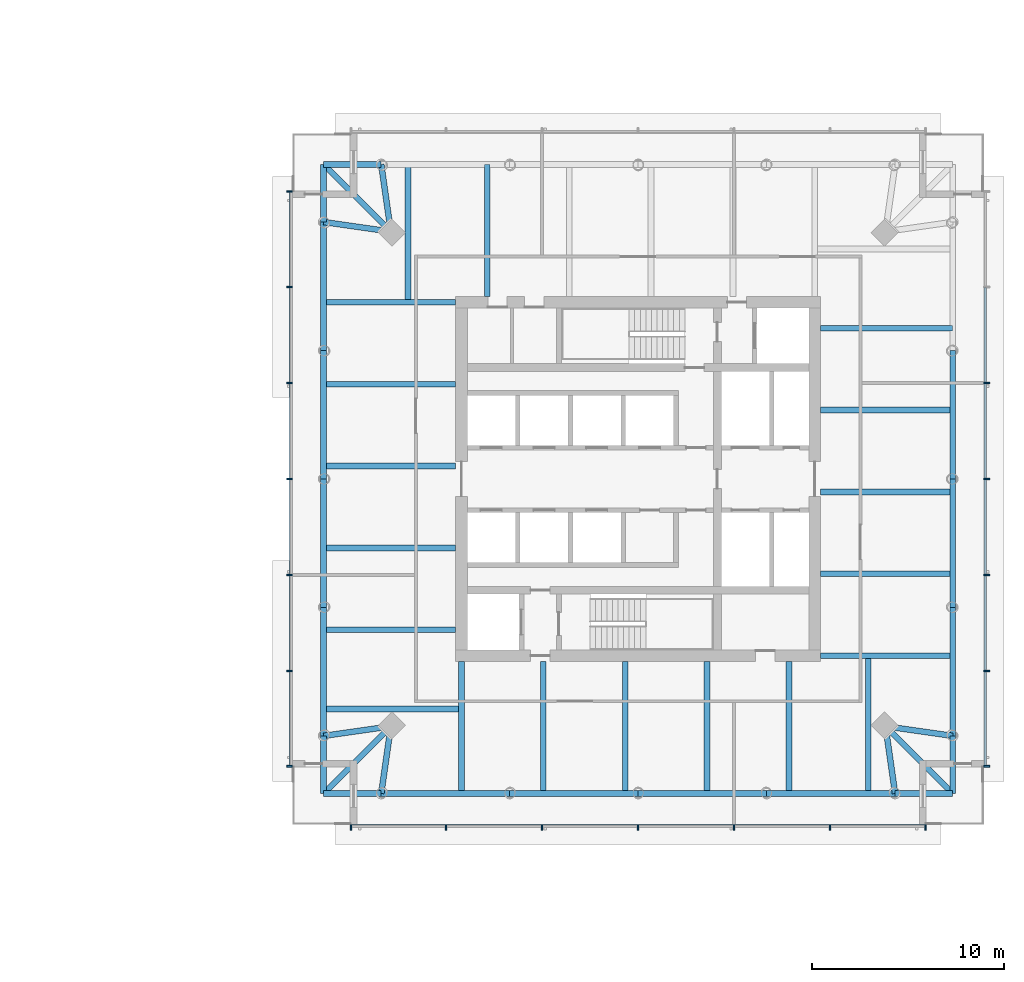
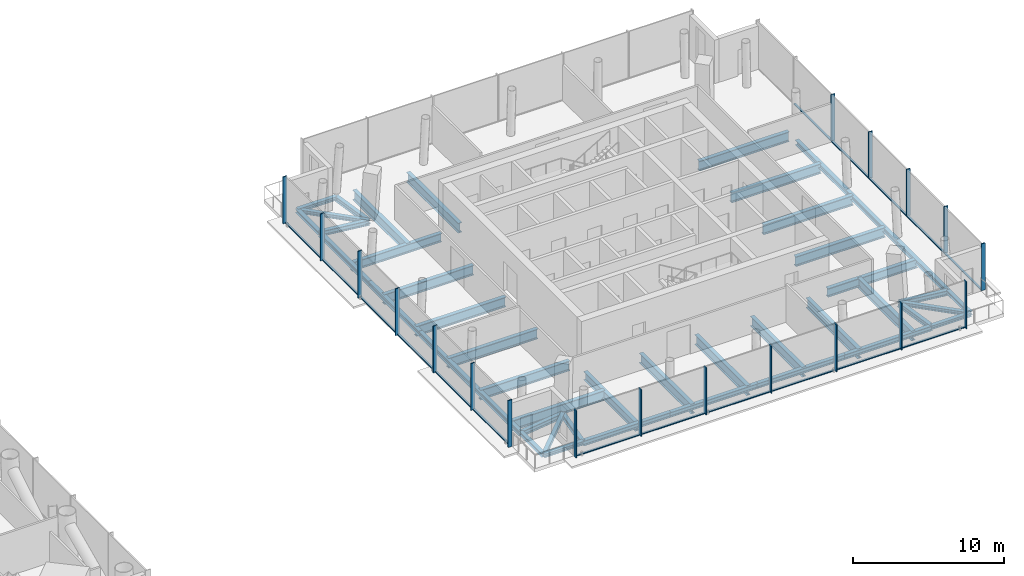
# One storey, part 6 of 28: 45 beams, 36 members, 3 elements without a shape of their own.
"""IFC4 building model written with IfcOpenShell, lengths in metres."""

from ifc_helpers import new_model, si_unit, direction, frame, origin, origin_2d, place, context, subcontext, project, spatial, rectangle, i_section, extrude, material, material_profile, profile_set, type_object, element, aggregate, save


model = new_model("IFC4")

# Units and contexts
model_context = context("Model", 3, precision=1e-05, world=origin(), true_north=direction((0.0, 1.0)))
body_context = subcontext(model_context, "Body", "Model", "MODEL_VIEW")
ifc_project = project(units=[si_unit("LENGTHUNIT", "METRE"), si_unit("AREAUNIT", "SQUARE_METRE"), si_unit("VOLUMEUNIT", "CUBIC_METRE"), si_unit("PLANEANGLEUNIT", "RADIAN"), si_unit("MASSUNIT", "GRAM", prefix="KILO")], contexts=[model_context])

# Site, building, storey
site_placement = place(None, origin())
site = spatial("IfcSite", under=ifc_project, at=site_placement, CompositionType="ELEMENT")
building_placement = place(site_placement, origin())
building = spatial("IfcBuilding", under=site, at=building_placement, Name="Ostroluk Exchange", CompositionType="ELEMENT")
storey_placement = place(building_placement, frame((0.0, 0.0, 81.800048828125)))
storey = spatial("IfcBuildingStorey", under=building, at=storey_placement, Name="L20", CompositionType="ELEMENT", Elevation=81.800048828125)

# Beams
ifc_material_1 = material(Name="Steel S355", Category="steel")
ifc_material_profile_1 = material_profile(ifc_material_1, i_section(OverallWidth=0.300048828125, OverallDepth=0.300048828125, WebThickness=0.010986328125, FlangeThickness=0.01904296875, FilletRadius=0.027099609375, at=origin_2d()), Name="HEB 300")
ifc_profile_set_1 = profile_set([ifc_material_profile_1], Name="Steel S355")
beam_type_1 = type_object("IfcBeamType", Name="Balcony beam HEB 300", PredefinedType="BEAM", material=ifc_profile_set_1)
for number, where, z_axis, x_axis, name in (
    (1, (103.62060546875, 62.37939453125, -0.429931640625), (-1.0, 0.0, 0.0), (0.0, -1.0, 0.0), "T2 north balcony beam a"),
    (2, (100.62060546875, 59.37939453125, -0.429931640625), (0.0, 1.0, 0.0), (-1.0, 0.0, 0.0), "T2 north balcony beam b"),
):
    element("IfcBeam", number, at=place(storey_placement, frame(where, z_axis=z_axis, x_axis=x_axis)), inside=storey, type_object=beam_type_1, Name=name, PredefinedType="BEAM", context=body_context, shape_type="SweptSolid", body=[
        extrude(i_section(OverallWidth=0.300048828125, OverallDepth=0.300048828125, WebThickness=0.010986328125, FlangeThickness=0.01904296875, FilletRadius=0.027099609375, at=origin_2d()), origin(), (0.0, 0.0, 1.0), 3.0),
    ])
beam_1_placement = place(storey_placement, frame((104.12060546875, 58.87939453125, -0.429931640625), z_axis=(-0.707106781187, 0.707106781187, 0.0), x_axis=(-0.707106781187, -0.707106781187, 0.0)))
element("IfcBeam", 3, at=beam_1_placement, inside=storey, type_object=beam_type_1, Name="T2 north balcony beam c", PredefinedType="BEAM", context=body_context, shape_type="SweptSolid", body=[
    extrude(i_section(OverallWidth=0.300048828125, OverallDepth=0.300048828125, WebThickness=0.010986328125, FlangeThickness=0.01904296875, FilletRadius=0.027099609375, at=origin_2d()), origin(), (0.0, 0.0, 1.0), 4.94970703125),
])
for number, where, z_axis, x_axis, name in (
    (4, (100.62060546875, 32.62060546875, -0.429931640625), (0.0, -1.0, 0.0), (1.0, 0.0, 0.0), "T2 west balcony beam a"),
    (5, (103.62060546875, 29.62060546875, -0.429931640625), (-1.0, 0.0, 0.0), (0.0, -1.0, 0.0), "T2 west balcony beam b"),
):
    element("IfcBeam", number, at=place(storey_placement, frame(where, z_axis=z_axis, x_axis=x_axis)), inside=storey, type_object=beam_type_1, Name=name, PredefinedType="BEAM", context=body_context, shape_type="SweptSolid", body=[
        extrude(i_section(OverallWidth=0.300048828125, OverallDepth=0.300048828125, WebThickness=0.010986328125, FlangeThickness=0.01904296875, FilletRadius=0.027099609375, at=origin_2d()), origin(), (0.0, 0.0, 1.0), 3.0),
    ])
beam_2_placement = place(storey_placement, frame((104.12060546875, 33.12060546875, -0.429931640625), z_axis=(-0.707106781187, -0.707106781187, 0.0), x_axis=(0.707106781187, -0.707106781187, 0.0)))
element("IfcBeam", 6, at=beam_2_placement, inside=storey, type_object=beam_type_1, Name="T2 west balcony beam c", PredefinedType="BEAM", context=body_context, shape_type="SweptSolid", body=[
    extrude(i_section(OverallWidth=0.300048828125, OverallDepth=0.300048828125, WebThickness=0.010986328125, FlangeThickness=0.01904296875, FilletRadius=0.027099609375, at=origin_2d()), origin(), (0.0, 0.0, 1.0), 4.94970703125),
])
for number, where, z_axis, x_axis, name in (
    (7, (130.37939453125, 29.62060546875, -0.429931640625), (1.0, 0.0, 0.0), (0.0, 1.0, 0.0), "T2 south balcony beam a"),
    (8, (133.37939453125, 32.62060546875, -0.429931640625), (0.0, -1.0, 0.0), (1.0, 0.0, 0.0), "T2 south balcony beam b"),
):
    element("IfcBeam", number, at=place(storey_placement, frame(where, z_axis=z_axis, x_axis=x_axis)), inside=storey, type_object=beam_type_1, Name=name, PredefinedType="BEAM", context=body_context, shape_type="SweptSolid", body=[
        extrude(i_section(OverallWidth=0.300048828125, OverallDepth=0.300048828125, WebThickness=0.010986328125, FlangeThickness=0.01904296875, FilletRadius=0.027099609375, at=origin_2d()), origin(), (0.0, 0.0, 1.0), 3.0),
    ])
beam_3_placement = place(storey_placement, frame((129.87939453125, 33.12060546875, -0.429931640625), z_axis=(0.707106781187, -0.707106781187, 0.0), x_axis=(0.707106781187, 0.707106781187, 0.0)))
element("IfcBeam", 9, at=beam_3_placement, inside=storey, type_object=beam_type_1, Name="T2 south balcony beam c", PredefinedType="BEAM", context=body_context, shape_type="SweptSolid", body=[
    extrude(i_section(OverallWidth=0.300048828125, OverallDepth=0.300048828125, WebThickness=0.010986328125, FlangeThickness=0.01904296875, FilletRadius=0.027099609375, at=origin_2d()), origin(), (0.0, 0.0, 1.0), 4.94970703125),
])
ifc_material_2 = material(Name="Steel S355", Category="steel")
ifc_material_profile_2 = material_profile(ifc_material_2, i_section(OverallWidth=0.300048828125, OverallDepth=0.39990234375, WebThickness=0.013427734375, FlangeThickness=0.02392578125, FilletRadius=0.027099609375, at=origin_2d()), Name="HEB 400")
ifc_profile_set_2 = profile_set([ifc_material_profile_2], Name="Steel S355")
beam_type_2 = type_object("IfcBeamType", Name="Corner edge beam HEB 400", PredefinedType="SPANDREL", material=ifc_profile_set_2)
for number, where, z_axis, x_axis, name in (
    (10, (104.12060546875, 58.87939453125, -0.47998046875), (-0.141421356237, 0.989949493661, 0.0), (-0.989949493661, -0.141421356237, 0.0), "T2 north corner edge beam a"),
    (11, (104.12060546875, 58.87939453125, -0.47998046875), (-0.989949493661, 0.141421356237, 0.0), (-0.141421356237, -0.989949493661, 0.0), "T2 north corner edge beam b"),
    (12, (104.12060546875, 33.12060546875, -0.47998046875), (-0.989949493661, -0.141421356237, 0.0), (0.141421356237, -0.989949493661, 0.0), "T2 west corner edge beam a"),
    (13, (104.12060546875, 33.12060546875, -0.47998046875), (-0.141421356237, -0.989949493661, 0.0), (0.989949493661, -0.141421356237, 0.0), "T2 west corner edge beam b"),
    (14, (129.87939453125, 33.12060546875, -0.47998046875), (0.141421356237, -0.989949493661, 0.0), (0.989949493661, 0.141421356237, 0.0), "T2 south corner edge beam a"),
    (15, (129.87939453125, 33.12060546875, -0.47998046875), (0.989949493661, -0.141421356237, 0.0), (0.141421356237, 0.989949493661, 0.0), "T2 south corner edge beam b"),
):
    element("IfcBeam", number, at=place(storey_placement, frame(where, z_axis=z_axis, x_axis=x_axis)), inside=storey, type_object=beam_type_2, Name=name, PredefinedType="SPANDREL", context=body_context, shape_type="SweptSolid", body=[
        extrude(i_section(OverallWidth=0.300048828125, OverallDepth=0.39990234375, WebThickness=0.013427734375, FlangeThickness=0.02392578125, FilletRadius=0.027099609375, at=origin_2d()), origin(), (0.0, 0.0, 1.0), 3.53564453125),
    ])
ifc_material_3 = material(Name="Steel S355", Category="steel")
ifc_material_profile_3 = material_profile(ifc_material_3, i_section(OverallWidth=0.300048828125, OverallDepth=0.800048828125, WebThickness=0.017578125, FlangeThickness=0.032958984375, FilletRadius=0.030029296875, at=origin_2d()), Name="HEB 800")
ifc_profile_set_3 = profile_set([ifc_material_profile_3], Name="Steel S355")
beam_type_3 = type_object("IfcBeamType", Name="Floor beam HEB 800", PredefinedType="BEAM", material=ifc_profile_set_3)
for number, where, z_axis, x_axis, name in (
    (16, (126.5, 41.063232421875, -0.679931640625), (1.0, 0.0, 0.0), (0.0, 1.0, 0.0), "T2 east floor beam 1"),
    (17, (126.5, 45.326416015625, -0.679931640625), (1.0, 0.0, 0.0), (0.0, 1.0, 0.0), "T2 east floor beam 2"),
    (18, (126.5, 49.589599609375, -0.679931640625), (1.0, 0.0, 0.0), (0.0, 1.0, 0.0), "T2 east floor beam 3"),
    (19, (126.5, 53.852783203125, -0.679931640625), (1.0, 0.0, 0.0), (0.0, 1.0, 0.0), "T2 east floor beam 4"),
    (20, (109.147216796875, 55.5, -0.679931640625), (0.0, 1.0, 0.0), (-1.0, 0.0, 0.0), "T2 north floor beam 4"),
):
    element("IfcBeam", number, at=place(storey_placement, frame(where, z_axis=z_axis, x_axis=x_axis)), inside=storey, type_object=beam_type_3, Name=name, PredefinedType="BEAM", context=body_context, shape_type="SweptSolid", body=[
        extrude(i_section(OverallWidth=0.300048828125, OverallDepth=0.800048828125, WebThickness=0.017578125, FlangeThickness=0.032958984375, FilletRadius=0.030029296875, at=origin_2d()), origin(), (0.0, 0.0, 1.0), 6.87939453125),
    ])
beam_4_placement = place(storey_placement, frame((105.020751953125, 55.199951171875, -0.679931640625), z_axis=(0.0, 1.0, 0.0), x_axis=(-1.0, 0.0, 0.0)))
element("IfcBeam", 21, at=beam_4_placement, inside=storey, type_object=beam_type_3, Name="T2 north floor beam 5", PredefinedType="BEAM", context=body_context, shape_type="SweptSolid", body=[
    extrude(i_section(OverallWidth=0.300048828125, OverallDepth=0.800048828125, WebThickness=0.017578125, FlangeThickness=0.032958984375, FilletRadius=0.030029296875, at=origin_2d()), origin(), (0.0, 0.0, 1.0), 7.179443359375),
])
for number, where, z_axis, x_axis, name in (
    (22, (107.5, 50.936767578125, -0.679931640625), (-1.0, 0.0, 0.0), (0.0, -1.0, 0.0), "T2 west floor beam 1"),
    (23, (107.5, 46.673583984375, -0.679931640625), (-1.0, 0.0, 0.0), (0.0, -1.0, 0.0), "T2 west floor beam 2"),
    (24, (107.5, 42.410400390625, -0.679931640625), (-1.0, 0.0, 0.0), (0.0, -1.0, 0.0), "T2 west floor beam 3"),
    (25, (107.5, 38.147216796875, -0.679931640625), (-1.0, 0.0, 0.0), (0.0, -1.0, 0.0), "T2 west floor beam 4"),
):
    element("IfcBeam", number, at=place(storey_placement, frame(where, z_axis=z_axis, x_axis=x_axis)), inside=storey, type_object=beam_type_3, Name=name, PredefinedType="BEAM", context=body_context, shape_type="SweptSolid", body=[
        extrude(i_section(OverallWidth=0.300048828125, OverallDepth=0.800048828125, WebThickness=0.017578125, FlangeThickness=0.032958984375, FilletRadius=0.030029296875, at=origin_2d()), origin(), (0.0, 0.0, 1.0), 6.87939453125),
    ])
beam_5_placement = place(storey_placement, frame((107.800048828125, 34.020751953125, -0.679931640625), z_axis=(-1.0, 0.0, 0.0), x_axis=(0.0, -1.0, 0.0)))
element("IfcBeam", 26, at=beam_5_placement, inside=storey, type_object=beam_type_3, Name="T2 west floor beam 5", PredefinedType="BEAM", context=body_context, shape_type="SweptSolid", body=[
    extrude(i_section(OverallWidth=0.300048828125, OverallDepth=0.800048828125, WebThickness=0.017578125, FlangeThickness=0.032958984375, FilletRadius=0.030029296875, at=origin_2d()), origin(), (0.0, 0.0, 1.0), 7.179443359375),
])
for number, where, z_axis, x_axis, name in (
    (27, (112.063232421875, 36.5, -0.679931640625), (0.0, -1.0, 0.0), (1.0, 0.0, 0.0), "T2 south floor beam 1"),
    (28, (116.326416015625, 36.5, -0.679931640625), (0.0, -1.0, 0.0), (1.0, 0.0, 0.0), "T2 south floor beam 2"),
    (29, (120.589599609375, 36.5, -0.679931640625), (0.0, -1.0, 0.0), (1.0, 0.0, 0.0), "T2 south floor beam 3"),
    (30, (124.852783203125, 36.5, -0.679931640625), (0.0, -1.0, 0.0), (1.0, 0.0, 0.0), "T2 south floor beam 4"),
):
    element("IfcBeam", number, at=place(storey_placement, frame(where, z_axis=z_axis, x_axis=x_axis)), inside=storey, type_object=beam_type_3, Name=name, PredefinedType="BEAM", context=body_context, shape_type="SweptSolid", body=[
        extrude(i_section(OverallWidth=0.300048828125, OverallDepth=0.800048828125, WebThickness=0.017578125, FlangeThickness=0.032958984375, FilletRadius=0.030029296875, at=origin_2d()), origin(), (0.0, 0.0, 1.0), 6.87939453125),
    ])
beam_6_placement = place(storey_placement, frame((128.979248046875, 36.800048828125, -0.679931640625), z_axis=(0.0, -1.0, 0.0), x_axis=(1.0, 0.0, 0.0)))
element("IfcBeam", 31, at=beam_6_placement, inside=storey, type_object=beam_type_3, Name="T2 south floor beam 5", PredefinedType="BEAM", context=body_context, shape_type="SweptSolid", body=[
    extrude(i_section(OverallWidth=0.300048828125, OverallDepth=0.800048828125, WebThickness=0.017578125, FlangeThickness=0.032958984375, FilletRadius=0.030029296875, at=origin_2d()), origin(), (0.0, 0.0, 1.0), 7.179443359375),
])
ifc_material_4 = material(Name="Steel S355", Category="steel")
ifc_material_profile_4 = material_profile(ifc_material_4, i_section(OverallWidth=0.300048828125, OverallDepth=0.699951171875, WebThickness=0.01708984375, FlangeThickness=0.031982421875, FilletRadius=0.027099609375, at=origin_2d()), Name="HEB 700")
ifc_profile_set_4 = profile_set([ifc_material_profile_4], Name="Steel S355")
beam_type_4 = type_object("IfcBeamType", Name="Girder HEB 700", PredefinedType="BEAM", material=ifc_profile_set_4)
for number, where, z_axis, x_axis, name in (
    (32, (107.5, 55.199951171875, -0.630126953125), (-1.0, 0.0, 0.0), (0.0, -1.0, 0.0), "T2 north girder"),
    (33, (107.800048828125, 36.5, -0.630126953125), (0.0, -1.0, 0.0), (1.0, 0.0, 0.0), "T2 west girder"),
    (34, (126.5, 36.800048828125, -0.630126953125), (1.0, 0.0, 0.0), (0.0, 1.0, 0.0), "T2 south girder"),
):
    element("IfcBeam", number, at=place(storey_placement, frame(where, z_axis=z_axis, x_axis=x_axis)), inside=storey, type_object=beam_type_4, Name=name, PredefinedType="BEAM", context=body_context, shape_type="SweptSolid", body=[
        extrude(i_section(OverallWidth=0.300048828125, OverallDepth=0.699951171875, WebThickness=0.01708984375, FlangeThickness=0.031982421875, FilletRadius=0.027099609375, at=origin_2d()), origin(), (0.0, 0.0, 1.0), 6.87939453125),
    ])
ifc_material_5 = material(Name="Steel S355", Category="steel")
ifc_material_profile_5 = material_profile(ifc_material_5, i_section(OverallWidth=0.300048828125, OverallDepth=0.39990234375, WebThickness=0.013427734375, FlangeThickness=0.02392578125, FilletRadius=0.027099609375, at=origin_2d()), Name="HEB 400")
ifc_profile_set_5 = profile_set([ifc_material_profile_5], Name="Steel S355")
beam_type_5 = type_object("IfcBeamType", Name="Moment-connected edge beam HEB 400", PredefinedType="SPANDREL", material=ifc_profile_set_5)
for number, where, z_axis, x_axis, name in (
    (35, (133.37939453125, 32.62060546875, -0.47998046875), (0.0, 1.0, 0.0), (-1.0, 0.0, 0.0), "T2 east edge beam 1"),
    (36, (133.37939453125, 39.310302734375, -0.47998046875), (0.0, 1.0, 0.0), (-1.0, 0.0, 0.0), "T2 east edge beam 2"),
    (37, (133.37939453125, 46.0, -0.47998046875), (0.0, 1.0, 0.0), (-1.0, 0.0, 0.0), "T2 east edge beam 3"),
    (38, (100.62060546875, 59.37939453125, -0.47998046875), (0.0, -1.0, 0.0), (1.0, 0.0, 0.0), "T2 west edge beam 1"),
    (39, (100.62060546875, 52.689697265625, -0.47998046875), (0.0, -1.0, 0.0), (1.0, 0.0, 0.0), "T2 west edge beam 2"),
    (40, (100.62060546875, 46.0, -0.47998046875), (0.0, -1.0, 0.0), (1.0, 0.0, 0.0), "T2 west edge beam 3"),
    (41, (100.62060546875, 39.310302734375, -0.47998046875), (0.0, -1.0, 0.0), (1.0, 0.0, 0.0), "T2 west edge beam 4"),
    (42, (103.62060546875, 29.62060546875, -0.47998046875), (1.0, 0.0, 0.0), (0.0, 1.0, 0.0), "T2 south edge beam 1"),
    (43, (110.310302734375, 29.62060546875, -0.47998046875), (1.0, 0.0, 0.0), (0.0, 1.0, 0.0), "T2 south edge beam 2"),
    (44, (117.0, 29.62060546875, -0.47998046875), (1.0, 0.0, 0.0), (0.0, 1.0, 0.0), "T2 south edge beam 3"),
    (45, (123.689697265625, 29.62060546875, -0.47998046875), (1.0, 0.0, 0.0), (0.0, 1.0, 0.0), "T2 south edge beam 4"),
):
    element("IfcBeam", number, at=place(storey_placement, frame(where, z_axis=z_axis, x_axis=x_axis)), inside=storey, type_object=beam_type_5, Name=name, PredefinedType="SPANDREL", context=body_context, shape_type="SweptSolid", body=[
        extrude(i_section(OverallWidth=0.300048828125, OverallDepth=0.39990234375, WebThickness=0.013427734375, FlangeThickness=0.02392578125, FilletRadius=0.027099609375, at=origin_2d()), origin(), (0.0, 0.0, 1.0), 6.689697265625),
    ])

# Curtain wall, members
ifc_material_6 = material(Name="Laminated clear glass", Category="glass")
curtain_wall_type = type_object("IfcCurtainWallType", Name="Hotel amenity and plant facade", PredefinedType="USERDEFINED", material=ifc_material_6)
curtain_wall_1_placement = place(storey_placement, origin())
curtain_wall_1 = element("IfcCurtainWall", 46, at=curtain_wall_1_placement, inside=storey, type_object=curtain_wall_type, Name="Hotel tower south facade L20", ObjectType="LOUVRED CURTAIN WALL", PredefinedType="USERDEFINED")
ifc_material_7 = material(Name="Aluminium mullion", Category="aluminium")
ifc_material_profile_6 = material_profile(ifc_material_7, rectangle(XDim=0.14990234375, YDim=0.080078125, at=origin_2d()), Name="Sill transom 80 x 150")
ifc_profile_set_6 = profile_set([ifc_material_profile_6], Name="Aluminium mullion")
member_type_1 = type_object("IfcMemberType", Name="Sill transom 80 x 150", PredefinedType="USERDEFINED", material=ifc_profile_set_6)
member_1_placement = place(storey_placement, frame((102.080078125, 27.925048828125, 0.0400390625), z_axis=(1.0, 0.0, 0.0), x_axis=(0.0, 1.0, 0.0)))
member_1 = element("IfcMember", 47, at=member_1_placement, type_object=member_type_1, Name="CW-H2 transom 1.1", ObjectType="TRANSOM", PredefinedType="USERDEFINED", context=body_context, shape_type="SweptSolid", body=[
    extrude(rectangle(XDim=0.14990234375, YDim=0.080078125, at=origin_2d()), origin(), (0.0, 0.0, 1.0), 4.8798828125),
])
member_2_placement = place(storey_placement, frame((107.0400390625, 27.925048828125, 0.0400390625), z_axis=(1.0, 0.0, 0.0), x_axis=(0.0, 1.0, 0.0)))
member_2 = element("IfcMember", 48, at=member_2_placement, type_object=member_type_1, Name="CW-H2 transom 2.1", ObjectType="TRANSOM", PredefinedType="USERDEFINED", context=body_context, shape_type="SweptSolid", body=[
    extrude(rectangle(XDim=0.14990234375, YDim=0.080078125, at=origin_2d()), origin(), (0.0, 0.0, 1.0), 4.919921875),
])
member_3_placement = place(storey_placement, frame((112.0400390625, 27.925048828125, 0.0400390625), z_axis=(1.0, 0.0, 0.0), x_axis=(0.0, 1.0, 0.0)))
member_3 = element("IfcMember", 49, at=member_3_placement, type_object=member_type_1, Name="CW-H2 transom 3.1", ObjectType="TRANSOM", PredefinedType="USERDEFINED", context=body_context, shape_type="SweptSolid", body=[
    extrude(rectangle(XDim=0.14990234375, YDim=0.080078125, at=origin_2d()), origin(), (0.0, 0.0, 1.0), 4.919921875),
])
member_4_placement = place(storey_placement, frame((117.0400390625, 27.925048828125, 0.0400390625), z_axis=(1.0, 0.0, 0.0), x_axis=(0.0, 1.0, 0.0)))
member_4 = element("IfcMember", 50, at=member_4_placement, type_object=member_type_1, Name="CW-H2 transom 4.1", ObjectType="TRANSOM", PredefinedType="USERDEFINED", context=body_context, shape_type="SweptSolid", body=[
    extrude(rectangle(XDim=0.14990234375, YDim=0.080078125, at=origin_2d()), origin(), (0.0, 0.0, 1.0), 4.919921875),
])
member_5_placement = place(storey_placement, frame((122.0400390625, 27.925048828125, 0.0400390625), z_axis=(1.0, 0.0, 0.0), x_axis=(0.0, 1.0, 0.0)))
member_5 = element("IfcMember", 51, at=member_5_placement, type_object=member_type_1, Name="CW-H2 transom 5.1", ObjectType="TRANSOM", PredefinedType="USERDEFINED", context=body_context, shape_type="SweptSolid", body=[
    extrude(rectangle(XDim=0.14990234375, YDim=0.080078125, at=origin_2d()), origin(), (0.0, 0.0, 1.0), 4.919921875),
])
member_6_placement = place(storey_placement, frame((127.0400390625, 27.925048828125, 0.0400390625), z_axis=(1.0, 0.0, 0.0), x_axis=(0.0, 1.0, 0.0)))
member_6 = element("IfcMember", 52, at=member_6_placement, type_object=member_type_1, Name="CW-H2 transom 6.1", ObjectType="TRANSOM", PredefinedType="USERDEFINED", context=body_context, shape_type="SweptSolid", body=[
    extrude(rectangle(XDim=0.14990234375, YDim=0.080078125, at=origin_2d()), origin(), (0.0, 0.0, 1.0), 4.8798828125),
])

curtain_wall_2_placement = place(storey_placement, origin())
curtain_wall_2 = element("IfcCurtainWall", 53, at=curtain_wall_2_placement, inside=storey, type_object=curtain_wall_type, Name="Hotel tower east facade L20", ObjectType="LOUVRED CURTAIN WALL", PredefinedType="USERDEFINED")
member_7_placement = place(storey_placement, frame((135.074951171875, 31.080078125, 0.0400390625), z_axis=(0.0, 1.0, 0.0), x_axis=(-1.0, 0.0, 0.0)))
member_7 = element("IfcMember", 54, at=member_7_placement, type_object=member_type_1, Name="CW-H2 transom 1.1", ObjectType="TRANSOM", PredefinedType="USERDEFINED", context=body_context, shape_type="SweptSolid", body=[
    extrude(rectangle(XDim=0.14990234375, YDim=0.080078125, at=origin_2d()), origin(), (0.0, 0.0, 1.0), 4.8798828125),
])
member_8_placement = place(storey_placement, frame((135.074951171875, 36.0400390625, 0.0400390625), z_axis=(0.0, 1.0, 0.0), x_axis=(-1.0, 0.0, 0.0)))
member_8 = element("IfcMember", 55, at=member_8_placement, type_object=member_type_1, Name="CW-H2 transom 2.1", ObjectType="TRANSOM", PredefinedType="USERDEFINED", context=body_context, shape_type="SweptSolid", body=[
    extrude(rectangle(XDim=0.14990234375, YDim=0.080078125, at=origin_2d()), origin(), (0.0, 0.0, 1.0), 4.919921875),
])
member_9_placement = place(storey_placement, frame((135.074951171875, 41.0400390625, 0.0400390625), z_axis=(0.0, 1.0, 0.0), x_axis=(-1.0, 0.0, 0.0)))
member_9 = element("IfcMember", 56, at=member_9_placement, type_object=member_type_1, Name="CW-H2 transom 3.1", ObjectType="TRANSOM", PredefinedType="USERDEFINED", context=body_context, shape_type="SweptSolid", body=[
    extrude(rectangle(XDim=0.14990234375, YDim=0.080078125, at=origin_2d()), origin(), (0.0, 0.0, 1.0), 4.919921875),
])
member_10_placement = place(storey_placement, frame((135.074951171875, 46.0400390625, 0.0400390625), z_axis=(0.0, 1.0, 0.0), x_axis=(-1.0, 0.0, 0.0)))
member_10 = element("IfcMember", 57, at=member_10_placement, type_object=member_type_1, Name="CW-H2 transom 4.1", ObjectType="TRANSOM", PredefinedType="USERDEFINED", context=body_context, shape_type="SweptSolid", body=[
    extrude(rectangle(XDim=0.14990234375, YDim=0.080078125, at=origin_2d()), origin(), (0.0, 0.0, 1.0), 4.919921875),
])
member_11_placement = place(storey_placement, frame((135.074951171875, 51.0400390625, 0.0400390625), z_axis=(0.0, 1.0, 0.0), x_axis=(-1.0, 0.0, 0.0)))
member_11 = element("IfcMember", 58, at=member_11_placement, type_object=member_type_1, Name="CW-H2 transom 5.1", ObjectType="TRANSOM", PredefinedType="USERDEFINED", context=body_context, shape_type="SweptSolid", body=[
    extrude(rectangle(XDim=0.14990234375, YDim=0.080078125, at=origin_2d()), origin(), (0.0, 0.0, 1.0), 4.919921875),
])

curtain_wall_3_placement = place(storey_placement, origin())
curtain_wall_3 = element("IfcCurtainWall", 59, at=curtain_wall_3_placement, inside=storey, type_object=curtain_wall_type, Name="Hotel tower west facade L20", ObjectType="LOUVRED CURTAIN WALL", PredefinedType="USERDEFINED")
member_12_placement = place(storey_placement, frame((98.925048828125, 60.919921875, 0.0400390625), z_axis=(0.0, -1.0, 0.0), x_axis=(1.0, 0.0, 0.0)))
member_12 = element("IfcMember", 60, at=member_12_placement, type_object=member_type_1, Name="CW-H2 transom 1.1", ObjectType="TRANSOM", PredefinedType="USERDEFINED", context=body_context, shape_type="SweptSolid", body=[
    extrude(rectangle(XDim=0.14990234375, YDim=0.080078125, at=origin_2d()), origin(), (0.0, 0.0, 1.0), 4.8798828125),
])
member_13_placement = place(storey_placement, frame((98.925048828125, 55.9599609375, 0.0400390625), z_axis=(0.0, -1.0, 0.0), x_axis=(1.0, 0.0, 0.0)))
member_13 = element("IfcMember", 61, at=member_13_placement, type_object=member_type_1, Name="CW-H2 transom 2.1", ObjectType="TRANSOM", PredefinedType="USERDEFINED", context=body_context, shape_type="SweptSolid", body=[
    extrude(rectangle(XDim=0.14990234375, YDim=0.080078125, at=origin_2d()), origin(), (0.0, 0.0, 1.0), 4.919921875),
])
member_14_placement = place(storey_placement, frame((98.925048828125, 50.9599609375, 0.0400390625), z_axis=(0.0, -1.0, 0.0), x_axis=(1.0, 0.0, 0.0)))
member_14 = element("IfcMember", 62, at=member_14_placement, type_object=member_type_1, Name="CW-H2 transom 3.1", ObjectType="TRANSOM", PredefinedType="USERDEFINED", context=body_context, shape_type="SweptSolid", body=[
    extrude(rectangle(XDim=0.14990234375, YDim=0.080078125, at=origin_2d()), origin(), (0.0, 0.0, 1.0), 4.919921875),
])
member_15_placement = place(storey_placement, frame((98.925048828125, 45.9599609375, 0.0400390625), z_axis=(0.0, -1.0, 0.0), x_axis=(1.0, 0.0, 0.0)))
member_15 = element("IfcMember", 63, at=member_15_placement, type_object=member_type_1, Name="CW-H2 transom 4.1", ObjectType="TRANSOM", PredefinedType="USERDEFINED", context=body_context, shape_type="SweptSolid", body=[
    extrude(rectangle(XDim=0.14990234375, YDim=0.080078125, at=origin_2d()), origin(), (0.0, 0.0, 1.0), 4.919921875),
])
member_16_placement = place(storey_placement, frame((98.925048828125, 40.9599609375, 0.0400390625), z_axis=(0.0, -1.0, 0.0), x_axis=(1.0, 0.0, 0.0)))
member_16 = element("IfcMember", 64, at=member_16_placement, type_object=member_type_1, Name="CW-H2 transom 5.1", ObjectType="TRANSOM", PredefinedType="USERDEFINED", context=body_context, shape_type="SweptSolid", body=[
    extrude(rectangle(XDim=0.14990234375, YDim=0.080078125, at=origin_2d()), origin(), (0.0, 0.0, 1.0), 4.919921875),
])
member_17_placement = place(storey_placement, frame((98.925048828125, 35.9599609375, 0.0400390625), z_axis=(0.0, -1.0, 0.0), x_axis=(1.0, 0.0, 0.0)))
member_17 = element("IfcMember", 65, at=member_17_placement, type_object=member_type_1, Name="CW-H2 transom 6.1", ObjectType="TRANSOM", PredefinedType="USERDEFINED", context=body_context, shape_type="SweptSolid", body=[
    extrude(rectangle(XDim=0.14990234375, YDim=0.080078125, at=origin_2d()), origin(), (0.0, 0.0, 1.0), 4.8798828125),
])

# Member
ifc_material_8 = material(Name="Aluminium mullion with limestone facing", Category="masonry")
ifc_material_profile_7 = material_profile(ifc_material_8, rectangle(XDim=0.300048828125, YDim=0.080078125, at=origin_2d()), Name="Tracery mullion 80 x 300")
ifc_profile_set_7 = profile_set([ifc_material_profile_7], Name="Aluminium mullion with limestone facing")
member_type_2 = type_object("IfcMemberType", Name="Tracery mullion 80 x 300", PredefinedType="MULLION", material=ifc_profile_set_7)
member_18_placement = place(storey_placement, frame((102.0400390625, 27.85009765625, 0.0), z_axis=(0.0, 0.0, 1.0), x_axis=(0.0, 1.0, 0.0)))
member_18 = element("IfcMember", 66, at=member_18_placement, type_object=member_type_2, Name="CW-H2 mullion 1", PredefinedType="MULLION", context=body_context, shape_type="SweptSolid", body=[
    extrude(rectangle(XDim=0.300048828125, YDim=0.080078125, at=origin_2d()), origin(), (0.0, 0.0, 1.0), 3.800048828125),
])

member_19_placement = place(storey_placement, frame((107.0, 27.85009765625, 0.0), z_axis=(0.0, 0.0, 1.0), x_axis=(0.0, 1.0, 0.0)))
member_19 = element("IfcMember", 67, at=member_19_placement, type_object=member_type_2, Name="CW-H2 mullion 2", PredefinedType="MULLION", context=body_context, shape_type="SweptSolid", body=[
    extrude(rectangle(XDim=0.300048828125, YDim=0.080078125, at=origin_2d()), origin(), (0.0, 0.0, 1.0), 3.800048828125),
])

member_20_placement = place(storey_placement, frame((112.0, 27.85009765625, 0.0), z_axis=(0.0, 0.0, 1.0), x_axis=(0.0, 1.0, 0.0)))
member_20 = element("IfcMember", 68, at=member_20_placement, type_object=member_type_2, Name="CW-H2 mullion 3", PredefinedType="MULLION", context=body_context, shape_type="SweptSolid", body=[
    extrude(rectangle(XDim=0.300048828125, YDim=0.080078125, at=origin_2d()), origin(), (0.0, 0.0, 1.0), 3.800048828125),
])

member_21_placement = place(storey_placement, frame((117.0, 27.85009765625, 0.0), z_axis=(0.0, 0.0, 1.0), x_axis=(0.0, 1.0, 0.0)))
member_21 = element("IfcMember", 69, at=member_21_placement, type_object=member_type_2, Name="CW-H2 mullion 4", PredefinedType="MULLION", context=body_context, shape_type="SweptSolid", body=[
    extrude(rectangle(XDim=0.300048828125, YDim=0.080078125, at=origin_2d()), origin(), (0.0, 0.0, 1.0), 3.800048828125),
])

member_22_placement = place(storey_placement, frame((122.0, 27.85009765625, 0.0), z_axis=(0.0, 0.0, 1.0), x_axis=(0.0, 1.0, 0.0)))
member_22 = element("IfcMember", 70, at=member_22_placement, type_object=member_type_2, Name="CW-H2 mullion 5", PredefinedType="MULLION", context=body_context, shape_type="SweptSolid", body=[
    extrude(rectangle(XDim=0.300048828125, YDim=0.080078125, at=origin_2d()), origin(), (0.0, 0.0, 1.0), 3.800048828125),
])

member_23_placement = place(storey_placement, frame((127.0, 27.85009765625, 0.0), z_axis=(0.0, 0.0, 1.0), x_axis=(0.0, 1.0, 0.0)))
member_23 = element("IfcMember", 71, at=member_23_placement, type_object=member_type_2, Name="CW-H2 mullion 6", PredefinedType="MULLION", context=body_context, shape_type="SweptSolid", body=[
    extrude(rectangle(XDim=0.300048828125, YDim=0.080078125, at=origin_2d()), origin(), (0.0, 0.0, 1.0), 3.800048828125),
])

member_24_placement = place(storey_placement, frame((131.9599609375, 27.85009765625, 0.0), z_axis=(0.0, 0.0, 1.0), x_axis=(0.0, 1.0, 0.0)))
member_24 = element("IfcMember", 72, at=member_24_placement, type_object=member_type_2, Name="CW-H2 mullion 7", PredefinedType="MULLION", context=body_context, shape_type="SweptSolid", body=[
    extrude(rectangle(XDim=0.300048828125, YDim=0.080078125, at=origin_2d()), origin(), (0.0, 0.0, 1.0), 3.800048828125),
])

aggregate(curtain_wall_1, [member_18, member_19, member_20, member_21, member_22, member_23, member_24, member_1, member_2, member_3, member_4, member_5, member_6])

member_25_placement = place(storey_placement, frame((135.14990234375, 31.0400390625, 0.0), z_axis=(0.0, 0.0, 1.0), x_axis=(-1.0, 0.0, 0.0)))
member_25 = element("IfcMember", 73, at=member_25_placement, type_object=member_type_2, Name="CW-H2 mullion 1", PredefinedType="MULLION", context=body_context, shape_type="SweptSolid", body=[
    extrude(rectangle(XDim=0.300048828125, YDim=0.080078125, at=origin_2d()), origin(), (0.0, 0.0, 1.0), 3.800048828125),
])

member_26_placement = place(storey_placement, frame((135.14990234375, 36.0, 0.0), z_axis=(0.0, 0.0, 1.0), x_axis=(-1.0, 0.0, 0.0)))
member_26 = element("IfcMember", 74, at=member_26_placement, type_object=member_type_2, Name="CW-H2 mullion 2", PredefinedType="MULLION", context=body_context, shape_type="SweptSolid", body=[
    extrude(rectangle(XDim=0.300048828125, YDim=0.080078125, at=origin_2d()), origin(), (0.0, 0.0, 1.0), 3.800048828125),
])

member_27_placement = place(storey_placement, frame((135.14990234375, 41.0, 0.0), z_axis=(0.0, 0.0, 1.0), x_axis=(-1.0, 0.0, 0.0)))
member_27 = element("IfcMember", 75, at=member_27_placement, type_object=member_type_2, Name="CW-H2 mullion 3", PredefinedType="MULLION", context=body_context, shape_type="SweptSolid", body=[
    extrude(rectangle(XDim=0.300048828125, YDim=0.080078125, at=origin_2d()), origin(), (0.0, 0.0, 1.0), 3.800048828125),
])

member_28_placement = place(storey_placement, frame((135.14990234375, 46.0, 0.0), z_axis=(0.0, 0.0, 1.0), x_axis=(-1.0, 0.0, 0.0)))
member_28 = element("IfcMember", 76, at=member_28_placement, type_object=member_type_2, Name="CW-H2 mullion 4", PredefinedType="MULLION", context=body_context, shape_type="SweptSolid", body=[
    extrude(rectangle(XDim=0.300048828125, YDim=0.080078125, at=origin_2d()), origin(), (0.0, 0.0, 1.0), 3.800048828125),
])

member_29_placement = place(storey_placement, frame((135.14990234375, 51.0, 0.0), z_axis=(0.0, 0.0, 1.0), x_axis=(-1.0, 0.0, 0.0)))
member_29 = element("IfcMember", 77, at=member_29_placement, type_object=member_type_2, Name="CW-H2 mullion 5", PredefinedType="MULLION", context=body_context, shape_type="SweptSolid", body=[
    extrude(rectangle(XDim=0.300048828125, YDim=0.080078125, at=origin_2d()), origin(), (0.0, 0.0, 1.0), 3.800048828125),
])

aggregate(curtain_wall_2, [member_25, member_26, member_27, member_28, member_29, member_7, member_8, member_9, member_10, member_11])

member_30_placement = place(storey_placement, frame((98.85009765625, 60.9599609375, 0.0), z_axis=(0.0, 0.0, 1.0), x_axis=(1.0, 0.0, 0.0)))
member_30 = element("IfcMember", 78, at=member_30_placement, type_object=member_type_2, Name="CW-H2 mullion 1", PredefinedType="MULLION", context=body_context, shape_type="SweptSolid", body=[
    extrude(rectangle(XDim=0.300048828125, YDim=0.080078125, at=origin_2d()), origin(), (0.0, 0.0, 1.0), 3.800048828125),
])

member_31_placement = place(storey_placement, frame((98.85009765625, 56.0, 0.0), z_axis=(0.0, 0.0, 1.0), x_axis=(1.0, 0.0, 0.0)))
member_31 = element("IfcMember", 79, at=member_31_placement, type_object=member_type_2, Name="CW-H2 mullion 2", PredefinedType="MULLION", context=body_context, shape_type="SweptSolid", body=[
    extrude(rectangle(XDim=0.300048828125, YDim=0.080078125, at=origin_2d()), origin(), (0.0, 0.0, 1.0), 3.800048828125),
])

member_32_placement = place(storey_placement, frame((98.85009765625, 51.0, 0.0), z_axis=(0.0, 0.0, 1.0), x_axis=(1.0, 0.0, 0.0)))
member_32 = element("IfcMember", 80, at=member_32_placement, type_object=member_type_2, Name="CW-H2 mullion 3", PredefinedType="MULLION", context=body_context, shape_type="SweptSolid", body=[
    extrude(rectangle(XDim=0.300048828125, YDim=0.080078125, at=origin_2d()), origin(), (0.0, 0.0, 1.0), 3.800048828125),
])

member_33_placement = place(storey_placement, frame((98.85009765625, 46.0, 0.0), z_axis=(0.0, 0.0, 1.0), x_axis=(1.0, 0.0, 0.0)))
member_33 = element("IfcMember", 81, at=member_33_placement, type_object=member_type_2, Name="CW-H2 mullion 4", PredefinedType="MULLION", context=body_context, shape_type="SweptSolid", body=[
    extrude(rectangle(XDim=0.300048828125, YDim=0.080078125, at=origin_2d()), origin(), (0.0, 0.0, 1.0), 3.800048828125),
])

member_34_placement = place(storey_placement, frame((98.85009765625, 41.0, 0.0), z_axis=(0.0, 0.0, 1.0), x_axis=(1.0, 0.0, 0.0)))
member_34 = element("IfcMember", 82, at=member_34_placement, type_object=member_type_2, Name="CW-H2 mullion 5", PredefinedType="MULLION", context=body_context, shape_type="SweptSolid", body=[
    extrude(rectangle(XDim=0.300048828125, YDim=0.080078125, at=origin_2d()), origin(), (0.0, 0.0, 1.0), 3.800048828125),
])

member_35_placement = place(storey_placement, frame((98.85009765625, 36.0, 0.0), z_axis=(0.0, 0.0, 1.0), x_axis=(1.0, 0.0, 0.0)))
member_35 = element("IfcMember", 83, at=member_35_placement, type_object=member_type_2, Name="CW-H2 mullion 6", PredefinedType="MULLION", context=body_context, shape_type="SweptSolid", body=[
    extrude(rectangle(XDim=0.300048828125, YDim=0.080078125, at=origin_2d()), origin(), (0.0, 0.0, 1.0), 3.800048828125),
])

member_36_placement = place(storey_placement, frame((98.85009765625, 31.0400390625, 0.0), z_axis=(0.0, 0.0, 1.0), x_axis=(1.0, 0.0, 0.0)))
member_36 = element("IfcMember", 84, at=member_36_placement, type_object=member_type_2, Name="CW-H2 mullion 7", PredefinedType="MULLION", context=body_context, shape_type="SweptSolid", body=[
    extrude(rectangle(XDim=0.300048828125, YDim=0.080078125, at=origin_2d()), origin(), (0.0, 0.0, 1.0), 3.800048828125),
])

aggregate(curtain_wall_3, [member_30, member_31, member_32, member_33, member_34, member_35, member_36, member_12, member_13, member_14, member_15, member_16, member_17])

save(model, "model.ifc")
